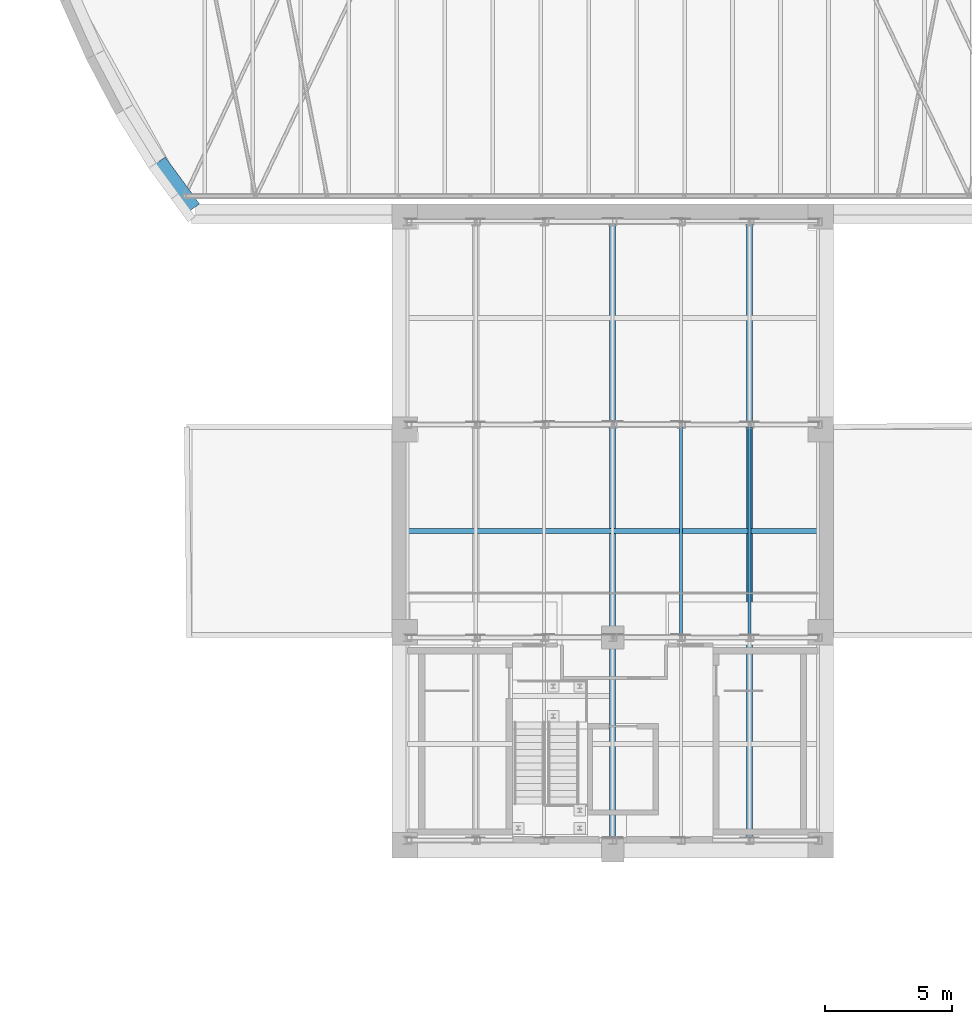
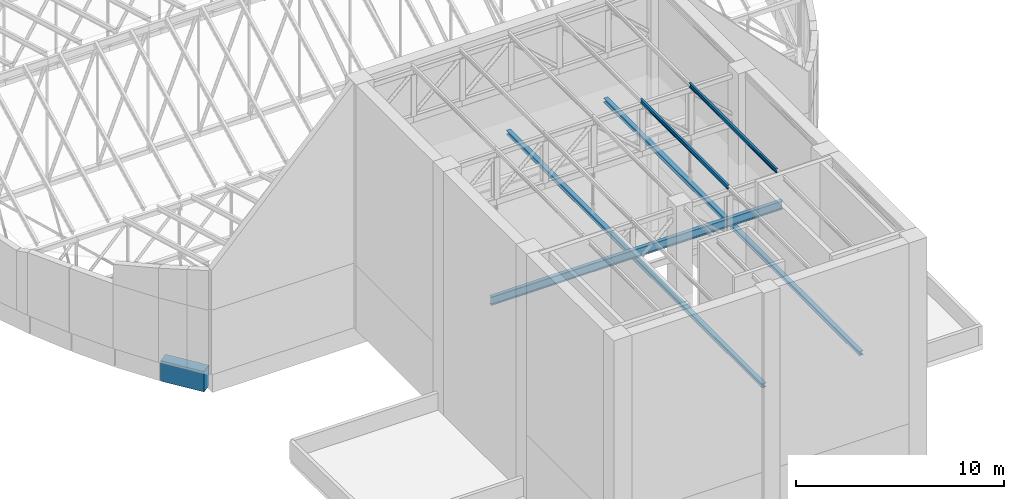
# One storey, part 6 of 68: 4 beams, 2 members.
"""IFC4 building model written with IfcOpenShell, lengths in metres."""

from ifc_helpers import new_model, si_unit, direction, frame, origin, origin_2d, place, context, subcontext, project, spatial, rectangle, i_section, extrude, material, material_profile, profile_set, type_object, element, save


model = new_model("IFC4")

# Units and contexts
model_context = context("Model", 3, precision=1e-05, world=origin(), true_north=direction((0.0, 1.0)))
body_context = subcontext(model_context, "Body", "Model", "MODEL_VIEW")
ifc_project = project(units=[si_unit("LENGTHUNIT", "METRE"), si_unit("AREAUNIT", "SQUARE_METRE"), si_unit("VOLUMEUNIT", "CUBIC_METRE"), si_unit("PLANEANGLEUNIT", "RADIAN"), si_unit("MASSUNIT", "GRAM", prefix="KILO")], contexts=[model_context])

# Site, building, storey
site_placement = place(None, origin())
site = spatial("IfcSite", under=ifc_project, at=site_placement, CompositionType="ELEMENT")
building_placement = place(site_placement, origin())
building = spatial("IfcBuilding", under=site, at=building_placement, Name="Larchfold Concert Hall", CompositionType="ELEMENT")
storey_placement = place(building_placement, frame((0.0, 0.0, 28.800048828125)))
storey = spatial("IfcBuildingStorey", under=building, at=storey_placement, Name="L06", CompositionType="ELEMENT", Elevation=28.800048828125)

# Beam
ifc_material_1 = material(Name="Concrete C40/50", Category="concrete")
ifc_material_profile_1 = material_profile(ifc_material_1, rectangle(XDim=0.60009765625, YDim=1.199951171875, at=origin_2d()))
ifc_profile_set_1 = profile_set([ifc_material_profile_1], Name="Concrete C40/50")
beam_type_1 = type_object("IfcBeamType", Name="Beam RC 600x1200", PredefinedType="BEAM", material=ifc_profile_set_1)
beam_1_placement = place(storey_placement, frame((24.71337890625, 61.3662109375, -0.60009765625), z_axis=(0.590779842207, -0.806832806747, 0.0), x_axis=(0.806832806747, 0.590779842207, 0.0)))
element("IfcBeam", 1, at=beam_1_placement, inside=storey, type_object=beam_type_1, Name="Beam RB49", PredefinedType="BEAM", context=body_context, shape_type="SweptSolid", body=[
    extrude(rectangle(XDim=0.60009765625, YDim=1.199951171875, at=origin_2d()), origin(), (0.0, 0.0, 1.0), 2.284912109375),
])

# Members
ifc_material_2 = material(Name="Steel S355", Category="steel")
ifc_material_profile_2 = material_profile(ifc_material_2, i_section(OverallWidth=0.1201171875, OverallDepth=0.239990234375, WebThickness=0.006103515625, FlangeThickness=0.009765625, FilletRadius=0.014892578125, at=origin_2d()))
ifc_profile_set_2 = profile_set([ifc_material_profile_2], Name="Steel S355")
member_type = type_object("IfcMemberType", Name="Purlin IPE 240", PredefinedType="PURLIN", material=ifc_profile_set_2)
for number, where, z_axis, x_axis, name in (
    (2, (45.300048828125, 42.60009765625, 14.169921875), (0.0, 1.0, 0.0), (-1.0, 0.0, 0.0), "Member SP12"),
    (3, (48.0, 42.60009765625, 14.169921875), (0.0, 1.0, 0.0), (-1.0, 0.0, 0.0), "Member SP13"),
):
    element("IfcMember", number, at=place(storey_placement, frame(where, z_axis=z_axis, x_axis=x_axis)), inside=storey, type_object=member_type, Name=name, PredefinedType="PURLIN", context=body_context, shape_type="SweptSolid", body=[
        extrude(i_section(OverallWidth=0.1201171875, OverallDepth=0.239990234375, WebThickness=0.006103515625, FlangeThickness=0.009765625, FilletRadius=0.014892578125, at=origin_2d()), origin(), (0.0, 0.0, 1.0), 8.39990234375),
    ])

# Beams
ifc_material_3 = material(Name="Steel S355", Category="steel")
ifc_material_profile_3 = material_profile(ifc_material_3, i_section(OverallWidth=0.239990234375, OverallDepth=0.239990234375, WebThickness=0.010009765625, FlangeThickness=0.01708984375, FilletRadius=0.02099609375, at=origin_2d()))
ifc_profile_set_3 = profile_set([ifc_material_profile_3], Name="Steel S355")
beam_type_2 = type_object("IfcBeamType", Name="Steel beam HEB 240", PredefinedType="BEAM", material=ifc_profile_set_3)
for number, where, z_axis, x_axis, name in (
    (4, (42.60009765625, 34.5, 8.3798828125), (0.0, 1.0, 0.0), (-1.0, 0.0, 0.0), "Beam GR26"),
    (5, (48.0, 34.5, 8.3798828125), (0.0, 1.0, 0.0), (-1.0, 0.0, 0.0), "Beam GR80"),
):
    element("IfcBeam", number, at=place(storey_placement, frame(where, z_axis=z_axis, x_axis=x_axis)), inside=storey, type_object=beam_type_2, Name=name, PredefinedType="BEAM", context=body_context, shape_type="SweptSolid", body=[
        extrude(i_section(OverallWidth=0.239990234375, OverallDepth=0.239990234375, WebThickness=0.010009765625, FlangeThickness=0.01708984375, FilletRadius=0.02099609375, at=origin_2d()), origin(), (0.0, 0.0, 1.0), 24.60009765625),
    ])
ifc_material_4 = material(Name="Steel S355", Category="steel")
ifc_material_profile_4 = material_profile(ifc_material_4, i_section(OverallWidth=0.199951171875, OverallDepth=0.5, WebThickness=0.01025390625, FlangeThickness=0.01611328125, FilletRadius=0.02099609375, at=origin_2d()))
ifc_profile_set_4 = profile_set([ifc_material_profile_4], Name="Steel S355")
beam_type_3 = type_object("IfcBeamType", Name="Steel beam IPE 500", PredefinedType="BEAM", material=ifc_profile_set_4)
beam_2_placement = place(storey_placement, frame((34.5, 46.800048828125, 8.75), z_axis=(1.0, 0.0, 0.0), x_axis=(0.0, 1.0, 0.0)))
element("IfcBeam", 6, at=beam_2_placement, inside=storey, type_object=beam_type_3, Name="Beam GS46", PredefinedType="BEAM", context=body_context, shape_type="SweptSolid", body=[
    extrude(i_section(OverallWidth=0.199951171875, OverallDepth=0.5, WebThickness=0.01025390625, FlangeThickness=0.01611328125, FilletRadius=0.02099609375, at=origin_2d()), origin(), (0.0, 0.0, 1.0), 16.199951171875),
])

save(model, "model.ifc")
